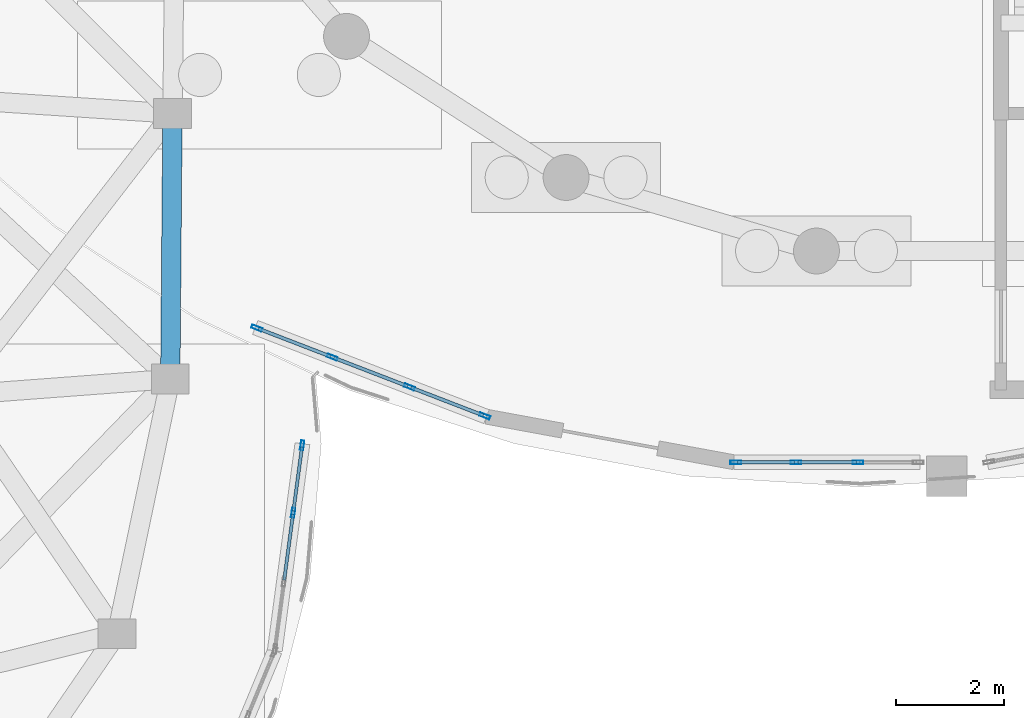
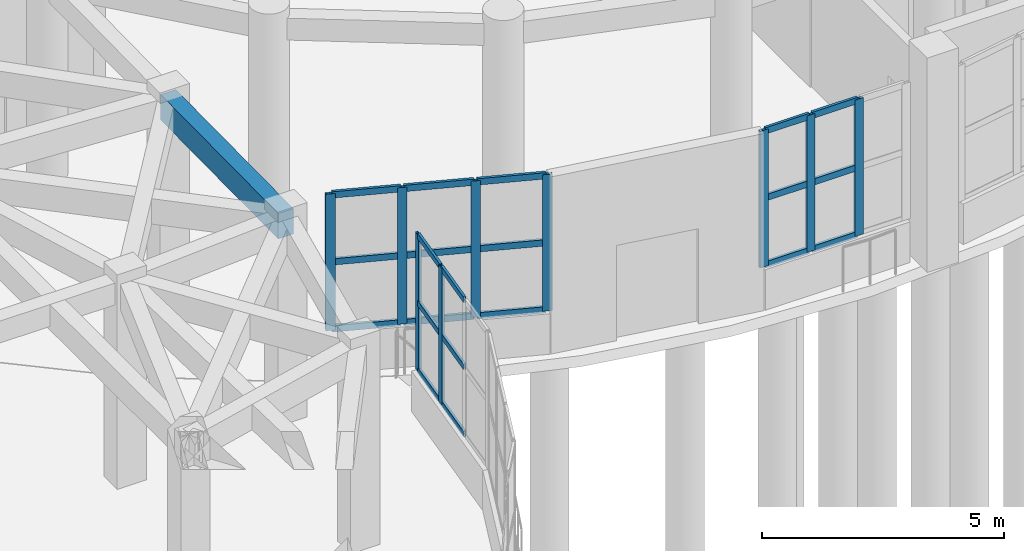
# One storey, part 24 of 96: 30 members, 1 beam, 3 elements without a shape of their own.
"""IFC4 building model written with IfcOpenShell, lengths in metres."""

from ifc_helpers import new_model, si_unit, direction, frame, origin, origin_2d, place, context, subcontext, project, spatial, rectangle, hollow_rectangle, extrude, material, layer, layer_set, material_profile, profile_set, type_object, element, aggregate, save


model = new_model("IFC4")

# Units and contexts
model_context = context("Model", 3, precision=1e-05, world=origin(), true_north=direction((0.0, 1.0)))
body_context = subcontext(model_context, "Body", "Model", "MODEL_VIEW")
ifc_project = project(units=[si_unit("LENGTHUNIT", "METRE"), si_unit("AREAUNIT", "SQUARE_METRE"), si_unit("VOLUMEUNIT", "CUBIC_METRE"), si_unit("PLANEANGLEUNIT", "RADIAN"), si_unit("MASSUNIT", "GRAM", prefix="KILO")], contexts=[model_context])

# Site, building, storey
site_placement = place(None, origin())
site = spatial("IfcSite", under=ifc_project, at=site_placement, CompositionType="ELEMENT")
building_placement = place(site_placement, origin())
building = spatial("IfcBuilding", under=site, at=building_placement, Name="Pelvatis Terrace Science Centre", CompositionType="ELEMENT")
storey_placement = place(building_placement, origin())
storey = spatial("IfcBuildingStorey", under=building, at=storey_placement, Name="L00", CompositionType="ELEMENT", Elevation=0.0)

# Curtain wall, members
ifc_material_1 = material(Name="Bronze-anodised aluminium and laminated glass", Category="aluminium")
ifc_layer_1 = layer(ifc_material_1, 0.179931640625)
ifc_layer_set_1 = layer_set([ifc_layer_1], Name="Bronze-anodised aluminium and laminated glass")
curtain_wall_type_1 = type_object("IfcCurtainWallType", Name="CW-RIBBON-A", PredefinedType="NOTDEFINED", material=ifc_layer_set_1)
curtain_wall_1_placement = place(storey_placement, origin())
curtain_wall_1 = element("IfcCurtainWall", 1, at=curtain_wall_1_placement, inside=storey, type_object=curtain_wall_type_1, Name="Ribbon curtain wall CW-021 (L00)", PredefinedType="NOTDEFINED")
ifc_material_2 = material(Name="Bronze-anodised aluminium 6063-T6", Category="aluminium")
ifc_material_profile_1 = material_profile(ifc_material_2, hollow_rectangle(XDim=0.06005859375, YDim=0.179931640625, WallThickness=0.00390625, at=origin_2d()), Name="ALU-MUL 60x180")
ifc_profile_set_1 = profile_set([ifc_material_profile_1], Name="Bronze-anodised aluminium 6063-T6")
member_type_1 = type_object("IfcMemberType", Name="CWM-60x180", PredefinedType="MULLION", material=ifc_profile_set_1)
member_1_placement = place(storey_placement, frame((65.879150390625, 32.92041015625, 1.02001953125), z_axis=(0.0, 0.0, 1.0), x_axis=(-0.991197428615, 0.132392059832, 0.0)))
member_1 = element("IfcMember", 2, at=member_1_placement, type_object=member_type_1, Name="CW-021 mullion 3", PredefinedType="MULLION", context=body_context, shape_type="SweptSolid", body=[
    extrude(hollow_rectangle(XDim=0.06005859375, YDim=0.179931640625, WallThickness=0.00390625, at=origin_2d()), origin(), (0.0, 0.0, 1.0), 3.43994140625),
])
member_2_placement = place(storey_placement, frame((66.046142578125, 34.170166015625, 1.02001953125), z_axis=(0.0, 0.0, 1.0), x_axis=(-0.991197428615, 0.132392059832, 0.0)))
member_2 = element("IfcMember", 3, at=member_2_placement, type_object=member_type_1, Name="CW-021 mullion 4", PredefinedType="MULLION", context=body_context, shape_type="SweptSolid", body=[
    extrude(hollow_rectangle(XDim=0.06005859375, YDim=0.179931640625, WallThickness=0.00390625, at=origin_2d()), origin(), (0.0, 0.0, 1.0), 3.43994140625),
])

ifc_material_3 = material(Name="Bronze-anodised aluminium and laminated glass", Category="aluminium")
ifc_layer_2 = layer(ifc_material_3, 0.199951171875)
ifc_layer_set_2 = layer_set([ifc_layer_2], Name="Bronze-anodised aluminium and laminated glass")
curtain_wall_type_2 = type_object("IfcCurtainWallType", Name="CW-RIBBON-B", PredefinedType="NOTDEFINED", material=ifc_layer_set_2)
curtain_wall_2_placement = place(storey_placement, origin())
curtain_wall_2 = element("IfcCurtainWall", 4, at=curtain_wall_2_placement, inside=storey, type_object=curtain_wall_type_2, Name="Ribbon curtain wall CW-051 (L00)", PredefinedType="NOTDEFINED")
ifc_material_4 = material(Name="Bronze-anodised aluminium 6063-T6", Category="aluminium")
ifc_material_profile_2 = material_profile(ifc_material_4, hollow_rectangle(XDim=0.06494140625, YDim=0.199951171875, WallThickness=0.00439453125, at=origin_2d()), Name="ALU-MUL 65x200")
ifc_profile_set_2 = profile_set([ifc_material_profile_2], Name="Bronze-anodised aluminium 6063-T6")
member_type_2 = type_object("IfcMemberType", Name="CWM-65x200", PredefinedType="MULLION", material=ifc_profile_set_2)
member_3_placement = place(storey_placement, frame((65.205322265625, 36.343994140625, 1.02001953125), z_axis=(0.0, 0.0, 1.0), x_axis=(0.359874233065, 0.933000823352, 0.0)))
member_3 = element("IfcMember", 5, at=member_3_placement, type_object=member_type_2, Name="CW-051 mullion 1", PredefinedType="MULLION", context=body_context, shape_type="SweptSolid", body=[
    extrude(hollow_rectangle(XDim=0.06494140625, YDim=0.199951171875, WallThickness=0.00439453125, at=origin_2d()), origin(), (0.0, 0.0, 1.0), 3.43994140625),
])
member_4_placement = place(storey_placement, frame((66.604248046875, 35.804443359375, 1.02001953125), z_axis=(0.0, 0.0, 1.0), x_axis=(0.359874233065, 0.933000823352, 0.0)))
member_4 = element("IfcMember", 6, at=member_4_placement, type_object=member_type_2, Name="CW-051 mullion 2", PredefinedType="MULLION", context=body_context, shape_type="SweptSolid", body=[
    extrude(hollow_rectangle(XDim=0.06494140625, YDim=0.199951171875, WallThickness=0.00439453125, at=origin_2d()), origin(), (0.0, 0.0, 1.0), 3.43994140625),
])
member_5_placement = place(storey_placement, frame((68.033447265625, 35.253173828125, 1.02001953125), z_axis=(0.0, 0.0, 1.0), x_axis=(0.359874233065, 0.933000823352, 0.0)))
member_5 = element("IfcMember", 7, at=member_5_placement, type_object=member_type_2, Name="CW-051 mullion 3", PredefinedType="MULLION", context=body_context, shape_type="SweptSolid", body=[
    extrude(hollow_rectangle(XDim=0.06494140625, YDim=0.199951171875, WallThickness=0.00439453125, at=origin_2d()), origin(), (0.0, 0.0, 1.0), 3.43994140625),
])
member_6_placement = place(storey_placement, frame((69.432373046875, 34.713623046875, 1.02001953125), z_axis=(0.0, 0.0, 1.0), x_axis=(0.359874233065, 0.933000823352, 0.0)))
member_6 = element("IfcMember", 8, at=member_6_placement, type_object=member_type_2, Name="CW-051 mullion 4", PredefinedType="MULLION", context=body_context, shape_type="SweptSolid", body=[
    extrude(hollow_rectangle(XDim=0.06494140625, YDim=0.199951171875, WallThickness=0.00439453125, at=origin_2d()), origin(), (0.0, 0.0, 1.0), 3.43994140625),
])

curtain_wall_3_placement = place(storey_placement, origin())
curtain_wall_3 = element("IfcCurtainWall", 9, at=curtain_wall_3_placement, inside=storey, type_object=curtain_wall_type_2, Name="Ribbon curtain wall CW-052 (L00)", PredefinedType="NOTDEFINED")
member_7_placement = place(storey_placement, frame((74.085693359375, 33.8564453125, 1.02001953125), z_axis=(0.0, 0.0, 1.0), x_axis=(0.0, 1.0, 0.0)))
member_7 = element("IfcMember", 10, at=member_7_placement, type_object=member_type_2, Name="CW-052 mullion 1", PredefinedType="MULLION", context=body_context, shape_type="SweptSolid", body=[
    extrude(hollow_rectangle(XDim=0.06494140625, YDim=0.199951171875, WallThickness=0.00439453125, at=origin_2d()), origin(), (0.0, 0.0, 1.0), 3.43994140625),
])
member_8_placement = place(storey_placement, frame((75.2021484375, 33.8564453125, 1.02001953125), z_axis=(0.0, 0.0, 1.0), x_axis=(0.0, 1.0, 0.0)))
member_8 = element("IfcMember", 11, at=member_8_placement, type_object=member_type_2, Name="CW-052 mullion 2", PredefinedType="MULLION", context=body_context, shape_type="SweptSolid", body=[
    extrude(hollow_rectangle(XDim=0.06494140625, YDim=0.199951171875, WallThickness=0.00439453125, at=origin_2d()), origin(), (0.0, 0.0, 1.0), 3.43994140625),
])
member_9_placement = place(storey_placement, frame((76.35107421875, 33.8564453125, 1.02001953125), z_axis=(0.0, 0.0, 1.0), x_axis=(0.0, 1.0, 0.0)))
member_9 = element("IfcMember", 12, at=member_9_placement, type_object=member_type_2, Name="CW-052 mullion 3", PredefinedType="MULLION", context=body_context, shape_type="SweptSolid", body=[
    extrude(hollow_rectangle(XDim=0.06494140625, YDim=0.199951171875, WallThickness=0.00439453125, at=origin_2d()), origin(), (0.0, 0.0, 1.0), 3.43994140625),
])

# Member
ifc_material_5 = material(Name="Bronze-anodised aluminium 6063-T6", Category="aluminium")
ifc_material_profile_3 = material_profile(ifc_material_5, hollow_rectangle(XDim=0.06005859375, YDim=0.139892578125, WallThickness=0.00390625, at=origin_2d()), Name="ALU-TRN 60x140")
ifc_profile_set_3 = profile_set([ifc_material_profile_3], Name="Bronze-anodised aluminium 6063-T6")
member_type_3 = type_object("IfcMemberType", Name="CWT-60x140", PredefinedType="USERDEFINED", material=ifc_profile_set_3)
member_10_placement = place(storey_placement, frame((65.712158203125, 31.670654296875, 1.050048828125), z_axis=(0.132475477615, 0.991186283113, 0.0), x_axis=(-0.991186283113, 0.132475477615, 0.0)))
member_10 = element("IfcMember", 13, at=member_10_placement, type_object=member_type_3, Name="CW-021 transom 2.1", ObjectType="TRANSOM", PredefinedType="USERDEFINED", context=body_context, shape_type="SweptSolid", body=[
    extrude(hollow_rectangle(XDim=0.06005859375, YDim=0.139892578125, WallThickness=0.00390625, at=origin_2d()), origin(), (0.0, 0.0, 1.0), 1.23095703125),
])

member_11_placement = place(storey_placement, frame((65.712158203125, 31.670654296875, 2.739990234375), z_axis=(0.132475477615, 0.991186283113, 0.0), x_axis=(-0.991186283113, 0.132475477615, 0.0)))
member_11 = element("IfcMember", 14, at=member_11_placement, type_object=member_type_3, Name="CW-021 transom 2.2", ObjectType="TRANSOM", PredefinedType="USERDEFINED", context=body_context, shape_type="SweptSolid", body=[
    extrude(hollow_rectangle(XDim=0.06005859375, YDim=0.139892578125, WallThickness=0.00390625, at=origin_2d()), origin(), (0.0, 0.0, 1.0), 1.23095703125),
])

member_12_placement = place(storey_placement, frame((65.712158203125, 31.670654296875, 4.429931640625), z_axis=(0.132475477615, 0.991186283113, 0.0), x_axis=(-0.991186283113, 0.132475477615, 0.0)))
member_12 = element("IfcMember", 15, at=member_12_placement, type_object=member_type_3, Name="CW-021 transom 2.3", ObjectType="TRANSOM", PredefinedType="USERDEFINED", context=body_context, shape_type="SweptSolid", body=[
    extrude(hollow_rectangle(XDim=0.06005859375, YDim=0.139892578125, WallThickness=0.00390625, at=origin_2d()), origin(), (0.0, 0.0, 1.0), 1.23095703125),
])

member_13_placement = place(storey_placement, frame((65.883056640625, 32.9501953125, 1.050048828125), z_axis=(0.132336818778, 0.991204805474, 0.0), x_axis=(-0.991204805474, 0.132336818778, 0.0)))
member_13 = element("IfcMember", 16, at=member_13_placement, type_object=member_type_3, Name="CW-021 transom 3.1", ObjectType="TRANSOM", PredefinedType="USERDEFINED", context=body_context, shape_type="SweptSolid", body=[
    extrude(hollow_rectangle(XDim=0.06005859375, YDim=0.139892578125, WallThickness=0.00390625, at=origin_2d()), origin(), (0.0, 0.0, 1.0), 1.200927734375),
])

member_14_placement = place(storey_placement, frame((65.883056640625, 32.9501953125, 2.739990234375), z_axis=(0.132336818778, 0.991204805474, 0.0), x_axis=(-0.991204805474, 0.132336818778, 0.0)))
member_14 = element("IfcMember", 17, at=member_14_placement, type_object=member_type_3, Name="CW-021 transom 3.2", ObjectType="TRANSOM", PredefinedType="USERDEFINED", context=body_context, shape_type="SweptSolid", body=[
    extrude(hollow_rectangle(XDim=0.06005859375, YDim=0.139892578125, WallThickness=0.00390625, at=origin_2d()), origin(), (0.0, 0.0, 1.0), 1.200927734375),
])

member_15_placement = place(storey_placement, frame((65.883056640625, 32.9501953125, 4.429931640625), z_axis=(0.132336818778, 0.991204805474, 0.0), x_axis=(-0.991204805474, 0.132336818778, 0.0)))
member_15 = element("IfcMember", 18, at=member_15_placement, type_object=member_type_3, Name="CW-021 transom 3.3", ObjectType="TRANSOM", PredefinedType="USERDEFINED", context=body_context, shape_type="SweptSolid", body=[
    extrude(hollow_rectangle(XDim=0.06005859375, YDim=0.139892578125, WallThickness=0.00390625, at=origin_2d()), origin(), (0.0, 0.0, 1.0), 1.200927734375),
])

aggregate(curtain_wall_1, [member_1, member_2, member_10, member_11, member_12, member_13, member_14, member_15])

ifc_material_6 = material(Name="Bronze-anodised aluminium 6063-T6", Category="aluminium")
ifc_material_profile_4 = material_profile(ifc_material_6, hollow_rectangle(XDim=0.06494140625, YDim=0.159912109375, WallThickness=0.00390625, at=origin_2d()), Name="ALU-TRN 65x160")
ifc_profile_set_4 = profile_set([ifc_material_profile_4], Name="Bronze-anodised aluminium 6063-T6")
member_type_4 = type_object("IfcMemberType", Name="CWT-65x160", PredefinedType="USERDEFINED", material=ifc_profile_set_4)
member_16_placement = place(storey_placement, frame((65.235595703125, 36.33251953125, 1.052490234375), z_axis=(0.932972267613, -0.359948257206, 0.0), x_axis=(0.359948257206, 0.932972267613, 0.0)))
member_16 = element("IfcMember", 19, at=member_16_placement, type_object=member_type_4, Name="CW-051 transom 1.1", ObjectType="TRANSOM", PredefinedType="USERDEFINED", context=body_context, shape_type="SweptSolid", body=[
    extrude(hollow_rectangle(XDim=0.06494140625, YDim=0.159912109375, WallThickness=0.00390625, at=origin_2d()), origin(), (0.0, 0.0, 1.0), 1.4345703125),
])

member_17_placement = place(storey_placement, frame((65.235595703125, 36.33251953125, 2.739990234375), z_axis=(0.932972267613, -0.359948257206, 0.0), x_axis=(0.359948257206, 0.932972267613, 0.0)))
member_17 = element("IfcMember", 20, at=member_17_placement, type_object=member_type_4, Name="CW-051 transom 1.2", ObjectType="TRANSOM", PredefinedType="USERDEFINED", context=body_context, shape_type="SweptSolid", body=[
    extrude(hollow_rectangle(XDim=0.06494140625, YDim=0.159912109375, WallThickness=0.00390625, at=origin_2d()), origin(), (0.0, 0.0, 1.0), 1.4345703125),
])

member_18_placement = place(storey_placement, frame((65.235595703125, 36.33251953125, 4.427490234375), z_axis=(0.932972267613, -0.359948257206, 0.0), x_axis=(0.359948257206, 0.932972267613, 0.0)))
member_18 = element("IfcMember", 21, at=member_18_placement, type_object=member_type_4, Name="CW-051 transom 1.3", ObjectType="TRANSOM", PredefinedType="USERDEFINED", context=body_context, shape_type="SweptSolid", body=[
    extrude(hollow_rectangle(XDim=0.06494140625, YDim=0.159912109375, WallThickness=0.00390625, at=origin_2d()), origin(), (0.0, 0.0, 1.0), 1.4345703125),
])

member_19_placement = place(storey_placement, frame((66.634521484375, 35.792724609375, 1.052490234375), z_axis=(0.93301922001, -0.359826534724, 0.0), x_axis=(0.359826534724, 0.93301922001, 0.0)))
member_19 = element("IfcMember", 22, at=member_19_placement, type_object=member_type_4, Name="CW-051 transom 2.1", ObjectType="TRANSOM", PredefinedType="USERDEFINED", context=body_context, shape_type="SweptSolid", body=[
    extrude(hollow_rectangle(XDim=0.06494140625, YDim=0.159912109375, WallThickness=0.00390625, at=origin_2d()), origin(), (0.0, 0.0, 1.0), 1.466796875),
])

member_20_placement = place(storey_placement, frame((66.634521484375, 35.792724609375, 2.739990234375), z_axis=(0.93301922001, -0.359826534724, 0.0), x_axis=(0.359826534724, 0.93301922001, 0.0)))
member_20 = element("IfcMember", 23, at=member_20_placement, type_object=member_type_4, Name="CW-051 transom 2.2", ObjectType="TRANSOM", PredefinedType="USERDEFINED", context=body_context, shape_type="SweptSolid", body=[
    extrude(hollow_rectangle(XDim=0.06494140625, YDim=0.159912109375, WallThickness=0.00390625, at=origin_2d()), origin(), (0.0, 0.0, 1.0), 1.466796875),
])

member_21_placement = place(storey_placement, frame((66.634521484375, 35.792724609375, 4.427490234375), z_axis=(0.93301922001, -0.359826534724, 0.0), x_axis=(0.359826534724, 0.93301922001, 0.0)))
member_21 = element("IfcMember", 24, at=member_21_placement, type_object=member_type_4, Name="CW-051 transom 2.3", ObjectType="TRANSOM", PredefinedType="USERDEFINED", context=body_context, shape_type="SweptSolid", body=[
    extrude(hollow_rectangle(XDim=0.06494140625, YDim=0.159912109375, WallThickness=0.00390625, at=origin_2d()), origin(), (0.0, 0.0, 1.0), 1.466796875),
])

member_22_placement = place(storey_placement, frame((68.063720703125, 35.241455078125, 1.052490234375), z_axis=(0.933007373768, -0.359857250163, 0.0), x_axis=(0.359857250163, 0.933007373768, 0.0)))
member_22 = element("IfcMember", 25, at=member_22_placement, type_object=member_type_4, Name="CW-051 transom 3.1", ObjectType="TRANSOM", PredefinedType="USERDEFINED", context=body_context, shape_type="SweptSolid", body=[
    extrude(hollow_rectangle(XDim=0.06494140625, YDim=0.159912109375, WallThickness=0.00390625, at=origin_2d()), origin(), (0.0, 0.0, 1.0), 1.434326171875),
])

member_23_placement = place(storey_placement, frame((68.063720703125, 35.241455078125, 2.739990234375), z_axis=(0.933007373768, -0.359857250163, 0.0), x_axis=(0.359857250163, 0.933007373768, 0.0)))
member_23 = element("IfcMember", 26, at=member_23_placement, type_object=member_type_4, Name="CW-051 transom 3.2", ObjectType="TRANSOM", PredefinedType="USERDEFINED", context=body_context, shape_type="SweptSolid", body=[
    extrude(hollow_rectangle(XDim=0.06494140625, YDim=0.159912109375, WallThickness=0.00390625, at=origin_2d()), origin(), (0.0, 0.0, 1.0), 1.434326171875),
])

member_24_placement = place(storey_placement, frame((68.063720703125, 35.241455078125, 4.427490234375), z_axis=(0.933007373768, -0.359857250163, 0.0), x_axis=(0.359857250163, 0.933007373768, 0.0)))
member_24 = element("IfcMember", 27, at=member_24_placement, type_object=member_type_4, Name="CW-051 transom 3.3", ObjectType="TRANSOM", PredefinedType="USERDEFINED", context=body_context, shape_type="SweptSolid", body=[
    extrude(hollow_rectangle(XDim=0.06494140625, YDim=0.159912109375, WallThickness=0.00390625, at=origin_2d()), origin(), (0.0, 0.0, 1.0), 1.434326171875),
])

aggregate(curtain_wall_2, [member_3, member_4, member_5, member_6, member_16, member_17, member_18, member_19, member_20, member_21, member_22, member_23, member_24])

member_25_placement = place(storey_placement, frame((74.118408203125, 33.8564453125, 1.052490234375), z_axis=(1.0, 0.0, 0.0), x_axis=(0.0, 1.0, 0.0)))
member_25 = element("IfcMember", 28, at=member_25_placement, type_object=member_type_4, Name="CW-052 transom 1.1", ObjectType="TRANSOM", PredefinedType="USERDEFINED", context=body_context, shape_type="SweptSolid", body=[
    extrude(hollow_rectangle(XDim=0.06494140625, YDim=0.159912109375, WallThickness=0.00390625, at=origin_2d()), origin(), (0.0, 0.0, 1.0), 1.05126953125),
])

member_26_placement = place(storey_placement, frame((74.118408203125, 33.8564453125, 2.739990234375), z_axis=(1.0, 0.0, 0.0), x_axis=(0.0, 1.0, 0.0)))
member_26 = element("IfcMember", 29, at=member_26_placement, type_object=member_type_4, Name="CW-052 transom 1.2", ObjectType="TRANSOM", PredefinedType="USERDEFINED", context=body_context, shape_type="SweptSolid", body=[
    extrude(hollow_rectangle(XDim=0.06494140625, YDim=0.159912109375, WallThickness=0.00390625, at=origin_2d()), origin(), (0.0, 0.0, 1.0), 1.05126953125),
])

member_27_placement = place(storey_placement, frame((74.118408203125, 33.8564453125, 4.427490234375), z_axis=(1.0, 0.0, 0.0), x_axis=(0.0, 1.0, 0.0)))
member_27 = element("IfcMember", 30, at=member_27_placement, type_object=member_type_4, Name="CW-052 transom 1.3", ObjectType="TRANSOM", PredefinedType="USERDEFINED", context=body_context, shape_type="SweptSolid", body=[
    extrude(hollow_rectangle(XDim=0.06494140625, YDim=0.159912109375, WallThickness=0.00390625, at=origin_2d()), origin(), (0.0, 0.0, 1.0), 1.05126953125),
])

member_28_placement = place(storey_placement, frame((75.234619140625, 33.8564453125, 1.052490234375), z_axis=(1.0, 0.0, 0.0), x_axis=(0.0, 1.0, 0.0)))
member_28 = element("IfcMember", 31, at=member_28_placement, type_object=member_type_4, Name="CW-052 transom 2.1", ObjectType="TRANSOM", PredefinedType="USERDEFINED", context=body_context, shape_type="SweptSolid", body=[
    extrude(hollow_rectangle(XDim=0.06494140625, YDim=0.159912109375, WallThickness=0.00390625, at=origin_2d()), origin(), (0.0, 0.0, 1.0), 1.083984375),
])

member_29_placement = place(storey_placement, frame((75.234619140625, 33.8564453125, 2.739990234375), z_axis=(1.0, 0.0, 0.0), x_axis=(0.0, 1.0, 0.0)))
member_29 = element("IfcMember", 32, at=member_29_placement, type_object=member_type_4, Name="CW-052 transom 2.2", ObjectType="TRANSOM", PredefinedType="USERDEFINED", context=body_context, shape_type="SweptSolid", body=[
    extrude(hollow_rectangle(XDim=0.06494140625, YDim=0.159912109375, WallThickness=0.00390625, at=origin_2d()), origin(), (0.0, 0.0, 1.0), 1.083984375),
])

member_30_placement = place(storey_placement, frame((75.234619140625, 33.8564453125, 4.427490234375), z_axis=(1.0, 0.0, 0.0), x_axis=(0.0, 1.0, 0.0)))
member_30 = element("IfcMember", 33, at=member_30_placement, type_object=member_type_4, Name="CW-052 transom 2.3", ObjectType="TRANSOM", PredefinedType="USERDEFINED", context=body_context, shape_type="SweptSolid", body=[
    extrude(hollow_rectangle(XDim=0.06494140625, YDim=0.159912109375, WallThickness=0.00390625, at=origin_2d()), origin(), (0.0, 0.0, 1.0), 1.083984375),
])

aggregate(curtain_wall_3, [member_7, member_8, member_9, member_25, member_26, member_27, member_28, member_29, member_30])

# Beam
ifc_material_7 = material(Name="Concrete C35/45", Category="concrete")
ifc_material_profile_5 = material_profile(ifc_material_7, rectangle(XDim=0.360107421875, YDim=0.639892578125, at=origin_2d()), Name="RC-SPN 360x640")
ifc_profile_set_5 = profile_set([ifc_material_profile_5], Name="Concrete C35/45")
beam_type = type_object("IfcBeamType", Name="SPN-RC-360x640", PredefinedType="SPANDREL", material=ifc_profile_set_5)
beam_placement = place(storey_placement, frame((63.640869140625, 40.3232421875, 4.820068359375), z_axis=(-0.008280981549, -0.999965712084, 0.0), x_axis=(0.999965712084, -0.008280981549, 0.0)))
element("IfcBeam", 34, at=beam_placement, inside=storey, type_object=beam_type, Name="Spandrel SP-L00-2309", PredefinedType="SPANDREL", context=body_context, shape_type="SweptSolid", body=[
    extrude(rectangle(XDim=0.360107421875, YDim=0.639892578125, at=origin_2d()), origin(), (0.0, 0.0, 1.0), 4.923583984375),
])

save(model, "model.ifc")
